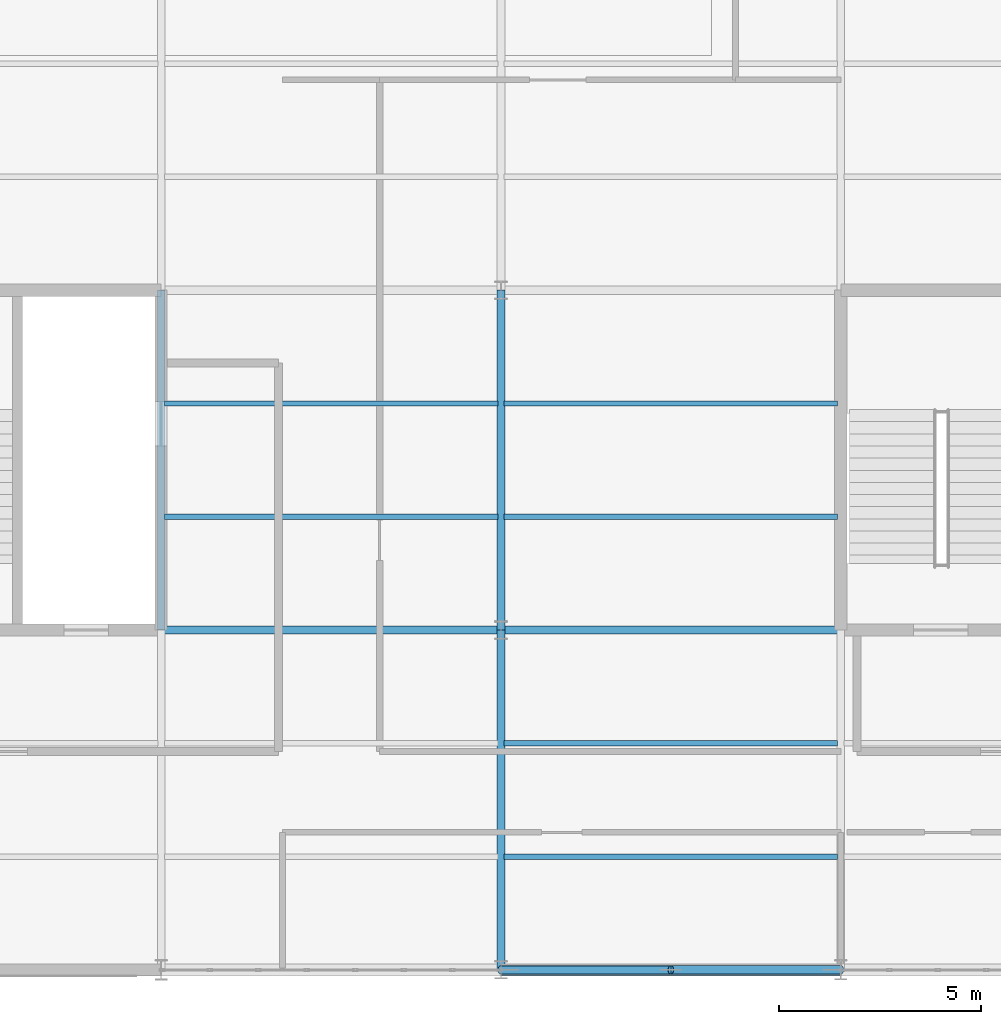
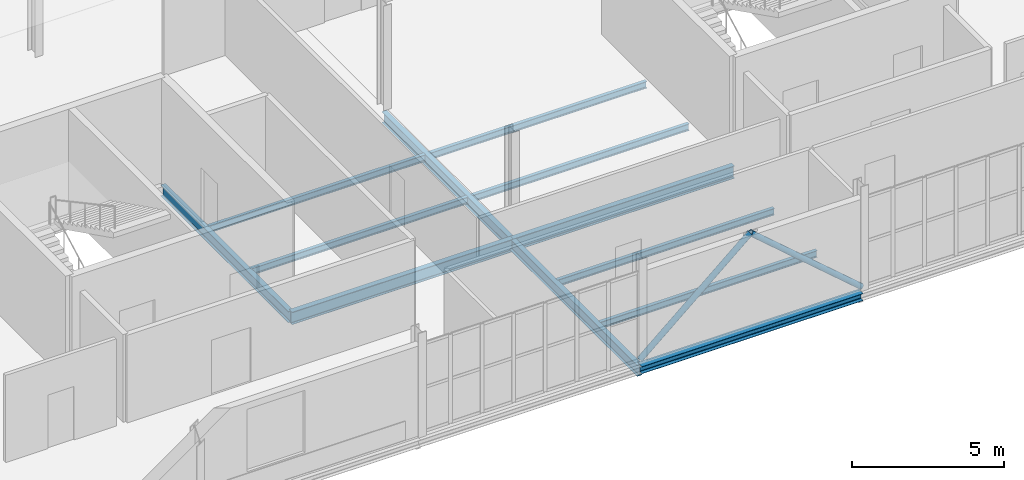
# One storey, part 19 of 69: 12 beams, 2 members.
"""IFC4 building model written with IfcOpenShell, lengths in metres."""

from ifc_helpers import new_model, si_unit, direction, frame, origin, origin_2d, place, context, subcontext, project, spatial, hollow_circle, i_section, extrude, material, material_profile, profile_set, type_object, element, save


model = new_model("IFC4")

# Units and contexts
model_context = context("Model", 3, precision=1e-05, world=origin(), true_north=direction((0.0, 1.0)))
body_context = subcontext(model_context, "Body", "Model", "MODEL_VIEW")
ifc_project = project(units=[si_unit("LENGTHUNIT", "METRE"), si_unit("AREAUNIT", "SQUARE_METRE"), si_unit("VOLUMEUNIT", "CUBIC_METRE"), si_unit("PLANEANGLEUNIT", "RADIAN"), si_unit("MASSUNIT", "GRAM", prefix="KILO")], contexts=[model_context])

# Site, building, storey
site_placement = place(None, origin())
site = spatial("IfcSite", under=ifc_project, at=site_placement, CompositionType="ELEMENT")
building_placement = place(site_placement, origin())
building = spatial("IfcBuilding", under=site, at=building_placement, Name="Qalvenar Corner Mobility Hub", CompositionType="ELEMENT")
storey_placement = place(building_placement, frame((0.0, 0.0, 13.199951171875)))
storey = spatial("IfcBuildingStorey", under=building, at=storey_placement, Name="L03", CompositionType="ELEMENT", Elevation=13.199951171875)

# Beams
ifc_material = material(Name="Steel S355", Category="steel")
ifc_material_profile_1 = material_profile(ifc_material, i_section(OverallWidth=0.18994140625, OverallDepth=0.449951171875, WebThickness=0.009521484375, FlangeThickness=0.0146484375, FilletRadius=0.02099609375, at=origin_2d()), Name="IPE450")
ifc_profile_set_1 = profile_set([ifc_material_profile_1], Name="Steel S355")
beam_type_1 = type_object("IfcBeamType", Name="BM-IPE450", PredefinedType="BEAM", material=ifc_profile_set_1)
beam_1_placement = place(storey_placement, frame((16.800048828125, 8.39990234375, -0.405029296875), z_axis=(0.0, 1.0, 0.0), x_axis=(-1.0, 0.0, 0.0)))
element("IfcBeam", 1, at=beam_1_placement, inside=storey, type_object=beam_type_1, Name="Primary Steel Girder GY-2235", PredefinedType="BEAM", context=body_context, shape_type="SweptSolid", body=[
    extrude(i_section(OverallWidth=0.18994140625, OverallDepth=0.449951171875, WebThickness=0.009521484375, FlangeThickness=0.0146484375, FilletRadius=0.02099609375, at=origin_2d()), origin(), (0.0, 0.0, 1.0), 8.400146484375),
])
beam_2_placement = place(storey_placement, frame((25.199951171875, 0.0, -0.405029296875), z_axis=(0.0, 1.0, 0.0), x_axis=(-1.0, 0.0, 0.0)))
element("IfcBeam", 2, at=beam_2_placement, inside=storey, type_object=beam_type_1, Name="Primary Steel Girder GY-2239", PredefinedType="BEAM", context=body_context, shape_type="SweptSolid", body=[
    extrude(i_section(OverallWidth=0.18994140625, OverallDepth=0.449951171875, WebThickness=0.009521484375, FlangeThickness=0.0146484375, FilletRadius=0.02099609375, at=origin_2d()), origin(), (0.0, 0.0, 1.0), 8.39990234375),
])
beam_3_placement = place(storey_placement, frame((25.199951171875, 8.39990234375, -0.405029296875), z_axis=(0.0, 1.0, 0.0), x_axis=(-1.0, 0.0, 0.0)))
element("IfcBeam", 3, at=beam_3_placement, inside=storey, type_object=beam_type_1, Name="Primary Steel Girder GY-2240", PredefinedType="BEAM", context=body_context, shape_type="SweptSolid", body=[
    extrude(i_section(OverallWidth=0.18994140625, OverallDepth=0.449951171875, WebThickness=0.009521484375, FlangeThickness=0.0146484375, FilletRadius=0.02099609375, at=origin_2d()), origin(), (0.0, 0.0, 1.0), 8.400146484375),
])
ifc_material_profile_2 = material_profile(ifc_material, i_section(OverallWidth=0.199951171875, OverallDepth=0.5, WebThickness=0.01025390625, FlangeThickness=0.01611328125, FilletRadius=0.02099609375, at=origin_2d()), Name="IPE500")
ifc_profile_set_2 = profile_set([ifc_material_profile_2], Name="Steel S355")
beam_type_2 = type_object("IfcBeamType", Name="BM-IPE500", PredefinedType="BEAM", material=ifc_profile_set_2)
beam_4_placement = place(storey_placement, frame((16.800048828125, 8.39990234375, -0.429931640625), z_axis=(1.0, 0.0, 0.0), x_axis=(0.0, 1.0, 0.0)))
element("IfcBeam", 4, at=beam_4_placement, inside=storey, type_object=beam_type_2, Name="Primary Steel Girder GX-2196", PredefinedType="BEAM", context=body_context, shape_type="SweptSolid", body=[
    extrude(i_section(OverallWidth=0.199951171875, OverallDepth=0.5, WebThickness=0.01025390625, FlangeThickness=0.01611328125, FilletRadius=0.02099609375, at=origin_2d()), origin(), (0.0, 0.0, 1.0), 8.39990234375),
])
beam_5_placement = place(storey_placement, frame((25.199951171875, 8.39990234375, -0.429931640625), z_axis=(1.0, 0.0, 0.0), x_axis=(0.0, 1.0, 0.0)))
element("IfcBeam", 5, at=beam_5_placement, inside=storey, type_object=beam_type_2, Name="Primary Steel Girder GX-2197", PredefinedType="BEAM", context=body_context, shape_type="SweptSolid", body=[
    extrude(i_section(OverallWidth=0.199951171875, OverallDepth=0.5, WebThickness=0.01025390625, FlangeThickness=0.01611328125, FilletRadius=0.02099609375, at=origin_2d()), origin(), (0.0, 0.0, 1.0), 8.400146484375),
])
ifc_material_profile_3 = material_profile(ifc_material, i_section(OverallWidth=0.135009765625, OverallDepth=0.27001953125, WebThickness=0.006591796875, FlangeThickness=0.01025390625, FilletRadius=0.014892578125, at=origin_2d()), Name="IPE270")
ifc_profile_set_3 = profile_set([ifc_material_profile_3], Name="Steel S355")
beam_type_3 = type_object("IfcBeamType", Name="BM-JST270", PredefinedType="JOIST", material=ifc_profile_set_3)
for number, where, z_axis, x_axis, name in (
    (6, (16.8779296875, 11.199951171875, -0.31494140625), (1.0, 0.0, 0.0), (0.0, 1.0, 0.0), "Composite Floor Joist J-2280"),
    (7, (16.8779296875, 14.0, -0.31494140625), (1.0, 0.0, 0.0), (0.0, 1.0, 0.0), "Composite Floor Joist J-2281"),
):
    element("IfcBeam", number, at=place(storey_placement, frame(where, z_axis=z_axis, x_axis=x_axis)), inside=storey, type_object=beam_type_3, Name=name, PredefinedType="JOIST", context=body_context, shape_type="SweptSolid", body=[
        extrude(i_section(OverallWidth=0.135009765625, OverallDepth=0.27001953125, WebThickness=0.006591796875, FlangeThickness=0.01025390625, FilletRadius=0.014892578125, at=origin_2d()), origin(), (0.0, 0.0, 1.0), 8.244140625),
    ])
for number, where, z_axis, x_axis, name in (
    (8, (25.278076171875, 2.800048828125, -0.31494140625), (1.0, 0.0, 0.0), (0.0, 1.0, 0.0), "Composite Floor Joist J-2288"),
    (9, (25.278076171875, 5.60009765625, -0.31494140625), (1.0, 0.0, 0.0), (0.0, 1.0, 0.0), "Composite Floor Joist J-2289"),
    (10, (25.278076171875, 11.199951171875, -0.31494140625), (1.0, 0.0, 0.0), (0.0, 1.0, 0.0), "Composite Floor Joist J-2290"),
    (11, (25.278076171875, 14.0, -0.31494140625), (1.0, 0.0, 0.0), (0.0, 1.0, 0.0), "Composite Floor Joist J-2291"),
):
    element("IfcBeam", number, at=place(storey_placement, frame(where, z_axis=z_axis, x_axis=x_axis)), inside=storey, type_object=beam_type_3, Name=name, PredefinedType="JOIST", context=body_context, shape_type="SweptSolid", body=[
        extrude(i_section(OverallWidth=0.135009765625, OverallDepth=0.27001953125, WebThickness=0.006591796875, FlangeThickness=0.01025390625, FilletRadius=0.014892578125, at=origin_2d()), origin(), (0.0, 0.0, 1.0), 8.243896484375),
    ])
ifc_material_profile_4 = material_profile(ifc_material, i_section(OverallWidth=0.300048828125, OverallDepth=0.2900390625, WebThickness=0.008544921875, FlangeThickness=0.013916015625, FilletRadius=0.027099609375, at=origin_2d()), Name="HEA300")
ifc_profile_set_4 = profile_set([ifc_material_profile_4], Name="Steel S355")
beam_type_4 = type_object("IfcBeamType", Name="BM-SPN300", PredefinedType="SPANDREL", material=ifc_profile_set_4)
beam_6_placement = place(storey_placement, frame((25.199951171875, 0.0, -0.324951171875), z_axis=(1.0, 0.0, 0.0), x_axis=(0.0, 1.0, 0.0)))
element("IfcBeam", 12, at=beam_6_placement, inside=storey, type_object=beam_type_4, Name="Primary Steel Girder GX-2191", PredefinedType="SPANDREL", context=body_context, shape_type="SweptSolid", body=[
    extrude(i_section(OverallWidth=0.300048828125, OverallDepth=0.2900390625, WebThickness=0.008544921875, FlangeThickness=0.013916015625, FilletRadius=0.027099609375, at=origin_2d()), origin(), (0.0, 0.0, 1.0), 8.400146484375),
])

# Members
ifc_material_profile_5 = material_profile(ifc_material, hollow_circle(Radius=0.109619140625, WallThickness=0.010009765625, at=origin_2d()), Name="CHS219.1x10")
ifc_profile_set_5 = profile_set([ifc_material_profile_5], Name="Steel S355")
member_type = type_object("IfcMemberType", Name="BR-CHS219", PredefinedType="BRACE", material=ifc_profile_set_5)
for number, where, z_axis, x_axis, name in (
    (13, (25.199951171875, 0.0, 0.02001953125), (0.757457263903, 0.0, 0.652884747379), (0.0, 1.0, 0.0), "Chevron Lateral Brace BR-007"),
    (14, (33.60009765625, 0.0, 0.02001953125), (-0.757476031353, 0.0, 0.652862973315), (0.0, -1.0, 0.0), "Chevron Lateral Brace BR-008"),
):
    element("IfcMember", number, at=place(storey_placement, frame(where, z_axis=z_axis, x_axis=x_axis)), inside=storey, type_object=member_type, Name=name, PredefinedType="BRACE", context=body_context, shape_type="SweptSolid", body=[
        extrude(hollow_circle(Radius=0.109619140625, WallThickness=0.010009765625, at=origin_2d()), origin(), (0.0, 0.0, 1.0), 5.544921875),
    ])

save(model, "model.ifc")
